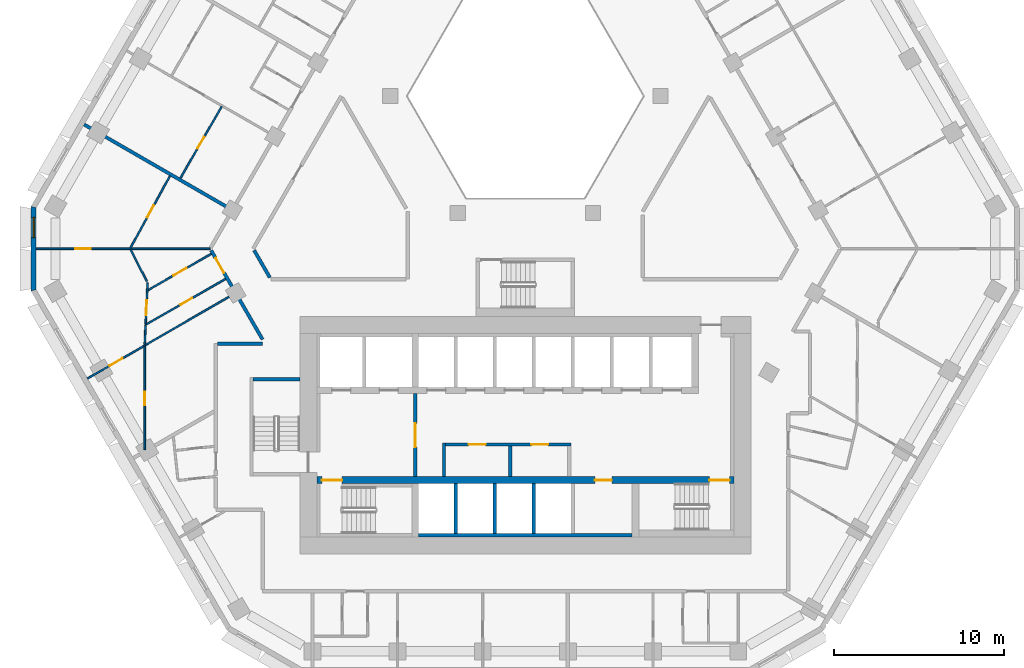
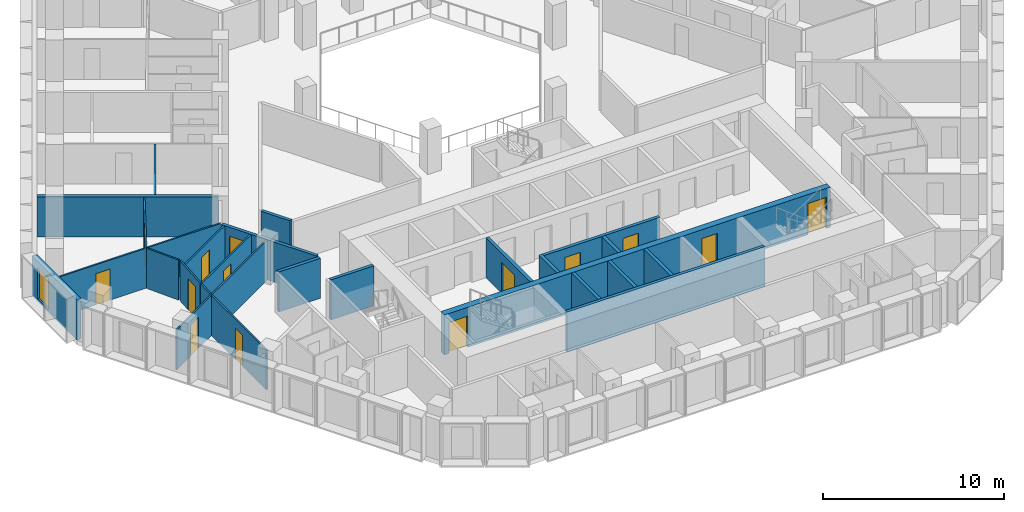
# One storey, part 4 of 15: 25 walls, 15 doors, 1 window, 16 openings.
"""IFC4 building model written with IfcOpenShell, lengths in metres."""

from ifc_helpers import new_model, si_unit, direction, frame, frame_2d, origin, place, context, subcontext, project, spatial, polyline, rectangle, outline, extrude, material, layer, layer_set, type_object, element, fill, save


model = new_model("IFC4")

# Units and contexts
model_context = context("Model", 3, precision=1e-05, world=origin(), true_north=direction((0.0, 1.0)))
body_context = subcontext(model_context, "Body", "Model", "MODEL_VIEW")
ifc_project = project(units=[si_unit("LENGTHUNIT", "METRE"), si_unit("AREAUNIT", "SQUARE_METRE"), si_unit("VOLUMEUNIT", "CUBIC_METRE"), si_unit("PLANEANGLEUNIT", "RADIAN"), si_unit("MASSUNIT", "GRAM", prefix="KILO")], contexts=[model_context])

# Site, building, storey
site_placement = place(None, origin())
site = spatial("IfcSite", under=ifc_project, at=site_placement, CompositionType="ELEMENT")
building_placement = place(site_placement, origin())
building = spatial("IfcBuilding", under=site, at=building_placement, Name="Beryl Residences", CompositionType="ELEMENT")
storey_placement = place(building_placement, frame((0.0, 0.0, 102.0)))
storey = spatial("IfcBuildingStorey", under=building, at=storey_placement, Name="L31", CompositionType="ELEMENT", Elevation=102.0)

# Wall, opening, window
ifc_material_1 = material(Name="Composite metal panel with mineral wool insulation")
ifc_layer_1 = layer(ifc_material_1, 0.300048828125)
ifc_layer_set_1 = layer_set([ifc_layer_1], Name="ES1 pale metal composite panel wall 300 mm")
wall_type_1 = type_object("IfcWallType", Name="ES1 pale metal composite panel wall 300 mm", PredefinedType="SOLIDWALL", material=ifc_layer_set_1)
wall_1_placement = place(storey_placement, frame((-29.007080078125, 1.5, 0.0), z_axis=(0.0, 0.0, 1.0), x_axis=(0.0, -1.0, 0.0)))
wall_1 = element("IfcWall", 1, at=wall_1_placement, inside=storey, type_object=wall_type_1, Name="ES1 external wall L31 NW-SW", PredefinedType="SOLIDWALL", context=body_context, shape_type="SweptSolid", body=[
    extrude(outline(polyline([(0.0, -0.14990234375), (5.0, -0.14990234375), (4.919677734375, 0.14990234375), (0.080322265625, 0.14990234375), (0.0, -0.14990234375)])), origin(), (0.0, 0.0, 1.0), 2.699951171875),
])
opening_1_placement = place(wall_1_placement, frame((0.64990234375, 0.0, 0.14990234375)))
opening_1 = element("IfcOpeningElement", 2, at=opening_1_placement, cuts=wall_1, Name="Opening W2", PredefinedType="OPENING", context=body_context, shape_type="SweptSolid", body=[
    extrude(rectangle(XDim=1.199951171875, YDim=2.10009765625, at=frame_2d((0.60009765625, 1.050048828125))), frame((0.0, 0.159912109375, 0.0), z_axis=(0.0, -1.0, 0.0), x_axis=(1.0, 0.0, 0.0)), (0.0, 0.0, 1.0), 0.320068359375),
])
ifc_material_2 = material(Name="Aluminium and clear glass", Category="aluminium")
window_type = type_object("IfcWindowType", Name="W2 chamfer window 1200 x 2100 mm", PartitioningType="SINGLE_PANEL", PredefinedType="WINDOW", material=ifc_material_2)
window_placement = place(opening_1_placement, origin())
window = element("IfcWindow", 3, at=window_placement, inside=storey, type_object=window_type, Name="W2 window L31 NW-SW 1", OverallHeight=2.10009765625, OverallWidth=1.199951171875, PartitioningType="SINGLE_PANEL", PredefinedType="WINDOW", context=body_context, shape_type="SweptSolid", body=[
    extrude(rectangle(XDim=1.199951171875, YDim=2.10009765625, at=frame_2d((0.60009765625, 1.050048828125))), frame((0.0, 0.030029296875, 0.0), z_axis=(0.0, -1.0, 0.0), x_axis=(1.0, 0.0, 0.0)), (0.0, 0.0, 1.0), 0.06005859375),
])
fill(opening_1, window)

# Wall
ifc_material_3 = material(Name="Gypsum board partition on steel studs", Category="steel")
ifc_layer_2 = layer(ifc_material_3, 0.10009765625)
ifc_layer_set_2 = layer_set([ifc_layer_2], Name="PT1 partition 100 mm gypsum board on steel studs")
wall_type_2 = type_object("IfcWallType", Name="PT1 partition 100 mm gypsum board on steel studs", PredefinedType="PARTITIONING", material=ifc_layer_set_2)
wall_2_placement = place(storey_placement, frame((-23.2890625, -1.053955078125, 0.0), z_axis=(0.0, 0.0, 1.0), x_axis=(0.458226112305, -0.888835659726, 0.0)))
element("IfcWall", 4, at=wall_2_placement, inside=storey, type_object=wall_type_2, Name="Wall PT1 L31 005", PredefinedType="PARTITIONING", context=body_context, shape_type="SweptSolid", body=[
    extrude(rectangle(XDim=2.10400390625, YDim=0.10009765625, at=frame_2d((1.052001953125, 0.0))), origin(), (0.0, 0.0, 1.0), 2.699951171875),
])

# Wall, opening, door
wall_3_placement = place(storey_placement, frame((-28.85693359375, -1.0009765625, 0.0), z_axis=(0.0, 0.0, 1.0), x_axis=(1.0, 0.0, 0.0)))
wall_3 = element("IfcWall", 5, at=wall_3_placement, inside=storey, type_object=wall_type_2, Name="Wall PT1 L31 026", PredefinedType="PARTITIONING", context=body_context, shape_type="SweptSolid", body=[
    extrude(rectangle(XDim=10.265869140625, YDim=0.10009765625, at=frame_2d((5.1328125, 0.0))), origin(), (0.0, 0.0, 1.0), 2.699951171875),
])
opening_2_placement = place(wall_3_placement, frame((2.320068359375, 0.0, 0.0)))
opening_2 = element("IfcOpeningElement", 6, at=opening_2_placement, cuts=wall_3, Name="Opening D0954", PredefinedType="OPENING", context=body_context, shape_type="SweptSolid", body=[
    extrude(rectangle(XDim=0.89990234375, YDim=2.10009765625, at=frame_2d((0.449951171875, 1.050048828125))), frame((0.0, 0.06005859375, 0.0), z_axis=(0.0, -1.0, 0.0), x_axis=(1.0, 0.0, 0.0)), (0.0, 0.0, 1.0), 0.1201171875),
])
ifc_material_4 = material(Name="Timber door leaf", Category="wood")
door_type_1 = type_object("IfcDoorType", Name="D2 room door 900 x 2100 mm", OperationType="SINGLE_SWING_LEFT", PredefinedType="DOOR", material=ifc_material_4)
door_1_placement = place(opening_2_placement, origin())
door_1 = element("IfcDoor", 7, at=door_1_placement, inside=storey, type_object=door_type_1, Name="Door D0954 L31 001", OperationType="SINGLE_SWING_RIGHT", OverallHeight=2.10009765625, OverallWidth=0.89990234375, PredefinedType="DOOR", context=body_context, shape_type="SweptSolid", body=[
    extrude(rectangle(XDim=0.89990234375, YDim=2.10009765625, at=frame_2d((0.449951171875, 1.050048828125))), frame((0.0, 0.02490234375, 0.0), z_axis=(0.0, -1.0, 0.0), x_axis=(1.0, 0.0, 0.0)), (0.0, 0.0, 1.0), 0.050048828125),
])
fill(opening_2, door_1)

wall_4_placement = place(storey_placement, frame((-20.344970703125, 3.162109375, 0.0), z_axis=(0.0, 0.0, 1.0), x_axis=(0.499943653708, 0.866057932887, 0.0)))
wall_4 = element("IfcWall", 8, at=wall_4_placement, inside=storey, type_object=wall_type_2, Name="Wall PT1 L31 037", PredefinedType="PARTITIONING", context=body_context, shape_type="SweptSolid", body=[
    extrude(rectangle(XDim=4.87255859375, YDim=0.10009765625, at=frame_2d((2.436279296875, 0.0))), origin(), (0.0, 0.0, 1.0), 2.699951171875),
])
opening_3_placement = place(wall_4_placement, frame((2.010986328125, 0.0, 0.0)))
opening_3 = element("IfcOpeningElement", 9, at=opening_3_placement, cuts=wall_4, Name="Opening D0949", PredefinedType="OPENING", context=body_context, shape_type="SweptSolid", body=[
    extrude(rectangle(XDim=0.800048828125, YDim=2.10009765625, at=frame_2d((0.39990234375, 1.050048828125))), frame((0.0, 0.06005859375, 0.0), z_axis=(0.0, -1.0, 0.0), x_axis=(1.0, 0.0, 0.0)), (0.0, 0.0, 1.0), 0.1201171875),
])
ifc_material_5 = material(Name="Timber door leaf", Category="wood")
door_type_2 = type_object("IfcDoorType", Name="D3 bathroom door 800 x 2100 mm", OperationType="SINGLE_SWING_LEFT", PredefinedType="DOOR", material=ifc_material_5)
door_2_placement = place(opening_3_placement, origin())
door_2 = element("IfcDoor", 10, at=door_2_placement, inside=storey, type_object=door_type_2, Name="Door D0949 L31 001", OperationType="SINGLE_SWING_LEFT", OverallHeight=2.10009765625, OverallWidth=0.800048828125, PredefinedType="DOOR", context=body_context, shape_type="SweptSolid", body=[
    extrude(rectangle(XDim=0.800048828125, YDim=2.10009765625, at=frame_2d((0.39990234375, 1.050048828125))), frame((0.0, 0.02490234375, 0.0), z_axis=(0.0, -1.0, 0.0), x_axis=(1.0, 0.0, 0.0)), (0.0, 0.0, 1.0), 0.050048828125),
])
fill(opening_3, door_2)

wall_5_placement = place(storey_placement, frame((-23.2890625, -0.950927734375, 0.0), z_axis=(0.0, 0.0, 1.0), x_axis=(0.481164463081, 0.876630343684, 0.0)))
wall_5 = element("IfcWall", 11, at=wall_5_placement, inside=storey, type_object=wall_type_2, Name="Wall PT1 L31 041", PredefinedType="PARTITIONING", context=body_context, shape_type="SweptSolid", body=[
    extrude(rectangle(XDim=4.83447265625, YDim=0.10009765625, at=frame_2d((2.417236328125, 0.0))), origin(), (0.0, 0.0, 1.0), 2.699951171875),
])
opening_4_placement = place(wall_5_placement, frame((2.0390625, 0.0, 0.0)))
opening_4 = element("IfcOpeningElement", 12, at=opening_4_placement, cuts=wall_5, Name="Opening D0957", PredefinedType="OPENING", context=body_context, shape_type="SweptSolid", body=[
    extrude(rectangle(XDim=0.800048828125, YDim=2.10009765625, at=frame_2d((0.39990234375, 1.050048828125))), frame((0.0, 0.06005859375, 0.0), z_axis=(0.0, -1.0, 0.0), x_axis=(1.0, 0.0, 0.0)), (0.0, 0.0, 1.0), 0.1201171875),
])
door_3_placement = place(opening_4_placement, origin())
door_3 = element("IfcDoor", 13, at=door_3_placement, inside=storey, type_object=door_type_2, Name="Door D0957 L31 001", OperationType="SINGLE_SWING_LEFT", OverallHeight=2.10009765625, OverallWidth=0.800048828125, PredefinedType="DOOR", context=body_context, shape_type="SweptSolid", body=[
    extrude(rectangle(XDim=0.800048828125, YDim=2.10009765625, at=frame_2d((0.39990234375, 1.050048828125))), frame((0.0, 0.02490234375, 0.0), z_axis=(0.0, -1.0, 0.0), x_axis=(1.0, 0.0, 0.0)), (0.0, 0.0, 1.0), 0.050048828125),
])
fill(opening_4, door_3)

wall_6_placement = place(storey_placement, frame((-22.39892578125, -5.449951171875, 0.0), z_axis=(0.0, 0.0, 1.0), x_axis=(0.049129140995, 0.998792434646, 0.0)))
wall_6 = element("IfcWall", 14, at=wall_6_placement, inside=storey, type_object=wall_type_2, Name="Wall PT1 L31 044", PredefinedType="PARTITIONING", context=body_context, shape_type="SweptSolid", body=[
    extrude(rectangle(XDim=2.43994140625, YDim=0.10009765625, at=frame_2d((1.219970703125, 0.0))), origin(), (0.0, 0.0, 1.0), 2.699951171875),
])
opening_5_placement = place(wall_6_placement, frame((0.52197265625, 0.0, 0.0)))
opening_5 = element("IfcOpeningElement", 15, at=opening_5_placement, cuts=wall_6, Name="Opening D0953", PredefinedType="OPENING", context=body_context, shape_type="SweptSolid", body=[
    extrude(rectangle(XDim=0.89990234375, YDim=2.10009765625, at=frame_2d((0.449951171875, 1.050048828125))), frame((0.0, 0.06005859375, 0.0), z_axis=(0.0, -1.0, 0.0), x_axis=(1.0, 0.0, 0.0)), (0.0, 0.0, 1.0), 0.1201171875),
])
door_4_placement = place(opening_5_placement, origin())
door_4 = element("IfcDoor", 16, at=door_4_placement, inside=storey, type_object=door_type_1, Name="Door D0953 L31 001", OperationType="SINGLE_SWING_LEFT", OverallHeight=2.10009765625, OverallWidth=0.89990234375, PredefinedType="DOOR", context=body_context, shape_type="SweptSolid", body=[
    extrude(rectangle(XDim=0.89990234375, YDim=2.10009765625, at=frame_2d((0.449951171875, 1.050048828125))), frame((0.0, 0.02490234375, 0.0), z_axis=(0.0, -1.0, 0.0), x_axis=(1.0, 0.0, 0.0)), (0.0, 0.0, 1.0), 0.050048828125),
])
fill(opening_5, door_4)

# Wall
wall_7_placement = place(storey_placement, frame((-22.447998046875, -6.65087890625, 0.0), z_axis=(0.0, 0.0, 1.0), x_axis=(0.040729401597, 0.99917021365, 0.0)))
element("IfcWall", 17, at=wall_7_placement, inside=storey, type_object=wall_type_2, Name="Wall PT1 L31 045", PredefinedType="PARTITIONING", context=body_context, shape_type="SweptSolid", body=[
    extrude(rectangle(XDim=1.126953125, YDim=0.10009765625, at=frame_2d((0.5634765625, 0.0))), origin(), (0.0, 0.0, 1.0), 2.699951171875),
])

# Wall, opening, door
wall_8_placement = place(storey_placement, frame((-22.449951171875, -12.845947265625, 0.0), z_axis=(0.0, 0.0, 1.0), x_axis=(0.0, 1.0, 0.0)))
wall_8 = element("IfcWall", 18, at=wall_8_placement, inside=storey, type_object=wall_type_2, Name="Wall PT1 L31 055", PredefinedType="PARTITIONING", context=body_context, shape_type="SweptSolid", body=[
    extrude(rectangle(XDim=6.077880859375, YDim=0.10009765625, at=frame_2d((3.0390625, 0.0))), origin(), (0.0, 0.0, 1.0), 2.699951171875),
])
opening_6_placement = place(wall_8_placement, frame((2.610107421875, 0.0, 0.0)))
opening_6 = element("IfcOpeningElement", 19, at=opening_6_placement, cuts=wall_8, Name="Opening D0956", PredefinedType="OPENING", context=body_context, shape_type="SweptSolid", body=[
    extrude(rectangle(XDim=0.800048828125, YDim=2.10009765625, at=frame_2d((0.39990234375, 1.050048828125))), frame((0.0, 0.06005859375, 0.0), z_axis=(0.0, -1.0, 0.0), x_axis=(1.0, 0.0, 0.0)), (0.0, 0.0, 1.0), 0.1201171875),
])
door_5_placement = place(opening_6_placement, origin())
door_5 = element("IfcDoor", 20, at=door_5_placement, inside=storey, type_object=door_type_2, Name="Door D0956 L31 001", OperationType="SINGLE_SWING_RIGHT", OverallHeight=2.10009765625, OverallWidth=0.800048828125, PredefinedType="DOOR", context=body_context, shape_type="SweptSolid", body=[
    extrude(rectangle(XDim=0.800048828125, YDim=2.10009765625, at=frame_2d((0.39990234375, 1.050048828125))), frame((0.0, 0.02490234375, 0.0), z_axis=(0.0, -1.0, 0.0), x_axis=(1.0, 0.0, 0.0)), (0.0, 0.0, 1.0), 0.050048828125),
])
fill(opening_6, door_5)

wall_9_placement = place(storey_placement, frame((-25.830078125, -8.662109375, 0.0), z_axis=(0.0, 0.0, 1.0), x_axis=(0.866022959057, 0.500004234368, 0.0)))
wall_9 = element("IfcWall", 21, at=wall_9_placement, inside=storey, type_object=wall_type_2, Name="Wall PT1 L31 062", PredefinedType="PARTITIONING", context=body_context, shape_type="SweptSolid", body=[
    extrude(rectangle(XDim=10.0, YDim=0.10009765625, at=frame_2d((5.0, 0.0))), origin(), (0.0, 0.0, 1.0), 2.699951171875),
])
opening_7_placement = place(wall_9_placement, frame((1.5009765625, 0.0, 0.0)))
opening_7 = element("IfcOpeningElement", 22, at=opening_7_placement, cuts=wall_9, Name="Opening D0955", PredefinedType="OPENING", context=body_context, shape_type="SweptSolid", body=[
    extrude(rectangle(XDim=0.89990234375, YDim=2.10009765625, at=frame_2d((0.449951171875, 1.050048828125))), frame((0.0, 0.06005859375, 0.0), z_axis=(0.0, -1.0, 0.0), x_axis=(1.0, 0.0, 0.0)), (0.0, 0.0, 1.0), 0.1201171875),
])
door_6_placement = place(opening_7_placement, origin())
door_6 = element("IfcDoor", 23, at=door_6_placement, inside=storey, type_object=door_type_1, Name="Door D0955 L31 001", OperationType="SINGLE_SWING_LEFT", OverallHeight=2.10009765625, OverallWidth=0.89990234375, PredefinedType="DOOR", context=body_context, shape_type="SweptSolid", body=[
    extrude(rectangle(XDim=0.89990234375, YDim=2.10009765625, at=frame_2d((0.449951171875, 1.050048828125))), frame((0.0, 0.02490234375, 0.0), z_axis=(0.0, -1.0, 0.0), x_axis=(1.0, 0.0, 0.0)), (0.0, 0.0, 1.0), 0.050048828125),
])
fill(opening_7, door_6)

wall_10_placement = place(storey_placement, frame((-22.40087890625, -5.489990234375, 0.0), z_axis=(0.0, 0.0, 1.0), x_axis=(0.867314404256, 0.497760709749, 0.0)))
wall_10 = element("IfcWall", 24, at=wall_10_placement, inside=storey, type_object=wall_type_2, Name="Wall PT1 L31 063", PredefinedType="PARTITIONING", context=body_context, shape_type="SweptSolid", body=[
    extrude(rectangle(XDim=5.4443359375, YDim=0.10009765625, at=frame_2d((2.72216796875, 0.0))), origin(), (0.0, 0.0, 1.0), 2.699951171875),
])
opening_8_placement = place(wall_10_placement, frame((2.3720703125, 0.0, 0.0)))
opening_8 = element("IfcOpeningElement", 25, at=opening_8_placement, cuts=wall_10, Name="Opening D0951", PredefinedType="OPENING", context=body_context, shape_type="SweptSolid", body=[
    extrude(rectangle(XDim=0.800048828125, YDim=2.10009765625, at=frame_2d((0.39990234375, 1.050048828125))), frame((0.0, 0.06005859375, 0.0), z_axis=(0.0, -1.0, 0.0), x_axis=(1.0, 0.0, 0.0)), (0.0, 0.0, 1.0), 0.1201171875),
])
door_7_placement = place(opening_8_placement, origin())
door_7 = element("IfcDoor", 26, at=door_7_placement, inside=storey, type_object=door_type_2, Name="Door D0951 L31 001", OperationType="SINGLE_SWING_LEFT", OverallHeight=2.10009765625, OverallWidth=0.800048828125, PredefinedType="DOOR", context=body_context, shape_type="SweptSolid", body=[
    extrude(rectangle(XDim=0.800048828125, YDim=2.10009765625, at=frame_2d((0.39990234375, 1.050048828125))), frame((0.0, 0.02490234375, 0.0), z_axis=(0.0, -1.0, 0.0), x_axis=(1.0, 0.0, 0.0)), (0.0, 0.0, 1.0), 0.050048828125),
])
fill(opening_8, door_7)

wall_11_placement = place(storey_placement, frame((-22.25, -3.443115234375, 0.0), z_axis=(0.0, 0.0, 1.0), x_axis=(0.867362741349, 0.497676476156, 0.0)))
wall_11 = element("IfcWall", 27, at=wall_11_placement, inside=storey, type_object=wall_type_2, Name="Wall PT1 L31 065", PredefinedType="PARTITIONING", context=body_context, shape_type="SweptSolid", body=[
    extrude(rectangle(XDim=4.2900390625, YDim=0.10009765625, at=frame_2d((2.14501953125, 0.0))), origin(), (0.0, 0.0, 1.0), 2.699951171875),
])
opening_9_placement = place(wall_11_placement, frame((1.715087890625, 0.0, 0.0)))
opening_9 = element("IfcOpeningElement", 28, at=opening_9_placement, cuts=wall_11, Name="Opening D0952", PredefinedType="OPENING", context=body_context, shape_type="SweptSolid", body=[
    extrude(rectangle(XDim=0.89990234375, YDim=2.10009765625, at=frame_2d((0.449951171875, 1.050048828125))), frame((0.0, 0.06005859375, 0.0), z_axis=(0.0, -1.0, 0.0), x_axis=(1.0, 0.0, 0.0)), (0.0, 0.0, 1.0), 0.1201171875),
])
door_8_placement = place(opening_9_placement, origin())
door_8 = element("IfcDoor", 29, at=door_8_placement, inside=storey, type_object=door_type_1, Name="Door D0952 L31 001", OperationType="SINGLE_SWING_RIGHT", OverallHeight=2.10009765625, OverallWidth=0.89990234375, PredefinedType="DOOR", context=body_context, shape_type="SweptSolid", body=[
    extrude(rectangle(XDim=0.89990234375, YDim=2.10009765625, at=frame_2d((0.449951171875, 1.050048828125))), frame((0.0, 0.02490234375, 0.0), z_axis=(0.0, -1.0, 0.0), x_axis=(1.0, 0.0, 0.0)), (0.0, 0.0, 1.0), 0.050048828125),
])
fill(opening_9, door_8)

ifc_material_6 = material(Name="Concrete masonry", Category="masonry")
ifc_layer_3 = layer(ifc_material_6, 0.199951171875)
ifc_layer_set_3 = layer_set([ifc_layer_3], Name="PT13 lobby wall 200 mm")
wall_type_3 = type_object("IfcWallType", Name="PT13 lobby wall 200 mm", PredefinedType="PARTITIONING", material=ifc_layer_set_3)
wall_12_placement = place(storey_placement, frame((-6.5, -14.449951171875, 0.0), z_axis=(0.0, 0.0, 1.0), x_axis=(0.0, 1.0, 0.0)))
wall_12 = element("IfcWall", 30, at=wall_12_placement, inside=storey, type_object=wall_type_3, Name="Lobby wall 11", PredefinedType="PARTITIONING", context=body_context, shape_type="SweptSolid", body=[
    extrude(rectangle(XDim=4.89990234375, YDim=0.199951171875, at=frame_2d((2.449951171875, 0.0))), origin(), (0.0, 0.0, 1.0), 2.699951171875),
])
opening_10_placement = place(wall_12_placement, frame((3.14990234375, 0.0, 0.0), z_axis=(0.0, 0.0, 1.0), x_axis=(-1.0, 0.0, 0.0)))
opening_10 = element("IfcOpeningElement", 31, at=opening_10_placement, cuts=wall_12, Name="Opening FD-FFL", PredefinedType="OPENING", context=body_context, shape_type="SweptSolid", body=[
    extrude(rectangle(XDim=1.39990234375, YDim=2.10009765625, at=frame_2d((0.699951171875, 1.050048828125))), frame((0.0, 0.10986328125, 0.0), z_axis=(0.0, -1.0, 0.0), x_axis=(1.0, 0.0, 0.0)), (0.0, 0.0, 1.0), 0.219970703125),
])
ifc_material_7 = material(Name="Steel door leaf in steel frame", Category="steel")
door_type_3 = type_object("IfcDoorType", Name="D5 lobby door 1400 x 2100 mm", OperationType="DOUBLE_DOOR_SINGLE_SWING", PredefinedType="DOOR", material=ifc_material_7)
door_9_placement = place(opening_10_placement, origin())
door_9 = element("IfcDoor", 32, at=door_9_placement, inside=storey, type_object=door_type_3, Name="Door FD-FFL L31 001", OperationType="DOUBLE_DOOR_SINGLE_SWING", OverallHeight=2.10009765625, OverallWidth=1.39990234375, PredefinedType="DOOR", context=body_context, shape_type="SweptSolid", body=[
    extrude(rectangle(XDim=1.39990234375, YDim=2.10009765625, at=frame_2d((0.699951171875, 1.050048828125))), frame((0.0, 0.02490234375, 0.0), z_axis=(0.0, -1.0, 0.0), x_axis=(1.0, 0.0, 0.0)), (0.0, 0.0, 1.0), 0.050048828125),
])
fill(opening_10, door_9)

# Wall
wall_13_placement = place(storey_placement, frame((-4.800048828125, -14.449951171875, 0.0), z_axis=(0.0, 0.0, 1.0), x_axis=(0.0, 1.0, 0.0)))
element("IfcWall", 33, at=wall_13_placement, inside=storey, type_object=wall_type_3, Name="Lobby wall 14", PredefinedType="PARTITIONING", context=body_context, shape_type="SweptSolid", body=[
    extrude(rectangle(XDim=2.0, YDim=0.199951171875, at=frame_2d((1.0, 0.0))), origin(), (0.0, 0.0, 1.0), 2.699951171875),
])

# Wall, openings, doors
wall_14_placement = place(storey_placement, frame((-4.699951171875, -12.550048828125, 0.0), z_axis=(0.0, 0.0, 1.0), x_axis=(1.0, 0.0, 0.0)))
wall_14 = element("IfcWall", 34, at=wall_14_placement, inside=storey, type_object=wall_type_3, Name="Lobby wall 15", PredefinedType="PARTITIONING", context=body_context, shape_type="SweptSolid", body=[
    extrude(rectangle(XDim=7.39990234375, YDim=0.199951171875, at=frame_2d((3.699951171875, 0.0))), origin(), (0.0, 0.0, 1.0), 2.699951171875),
])
opening_11_placement = place(wall_14_placement, frame((2.35009765625, 0.0, 0.0), z_axis=(0.0, 0.0, 1.0), x_axis=(-1.0, 0.0, 0.0)))
opening_11 = element("IfcOpeningElement", 35, at=opening_11_placement, cuts=wall_14, Name="Opening CD-D-A1", PredefinedType="OPENING", context=body_context, shape_type="SweptSolid", body=[
    extrude(rectangle(XDim=1.0, YDim=2.10009765625, at=frame_2d((0.5, 1.050048828125))), frame((0.0, 0.10986328125, 0.0), z_axis=(0.0, -1.0, 0.0), x_axis=(1.0, 0.0, 0.0)), (0.0, 0.0, 1.0), 0.219970703125),
])
opening_12_placement = place(wall_14_placement, frame((6.050048828125, 0.0, 0.0), z_axis=(0.0, 0.0, 1.0), x_axis=(-1.0, 0.0, 0.0)))
opening_12 = element("IfcOpeningElement", 36, at=opening_12_placement, cuts=wall_14, Name="Opening CD-D-A2", PredefinedType="OPENING", context=body_context, shape_type="SweptSolid", body=[
    extrude(rectangle(XDim=1.0, YDim=2.10009765625, at=frame_2d((0.5, 1.050048828125))), frame((0.0, 0.10986328125, 0.0), z_axis=(0.0, -1.0, 0.0), x_axis=(1.0, 0.0, 0.0)), (0.0, 0.0, 1.0), 0.219970703125),
])
ifc_material_8 = material(Name="Steel door leaf in steel frame", Category="steel")
door_type_4 = type_object("IfcDoorType", Name="D18 service room door 1000 x 2100 mm", OperationType="SINGLE_SWING_LEFT", PredefinedType="DOOR", material=ifc_material_8)
door_10_placement = place(opening_11_placement, origin())
door_10 = element("IfcDoor", 37, at=door_10_placement, inside=storey, type_object=door_type_4, Name="Door CD-D-A1 L31 001", OperationType="SINGLE_SWING_RIGHT", OverallHeight=2.10009765625, OverallWidth=1.0, PredefinedType="DOOR", context=body_context, shape_type="SweptSolid", body=[
    extrude(rectangle(XDim=1.0, YDim=2.10009765625, at=frame_2d((0.5, 1.050048828125))), frame((0.0, 0.02490234375, 0.0), z_axis=(0.0, -1.0, 0.0), x_axis=(1.0, 0.0, 0.0)), (0.0, 0.0, 1.0), 0.050048828125),
])
fill(opening_11, door_10)
door_11_placement = place(opening_12_placement, origin())
door_11 = element("IfcDoor", 38, at=door_11_placement, inside=storey, type_object=door_type_4, Name="Door CD-D-A2 L31 001", OperationType="SINGLE_SWING_LEFT", OverallHeight=2.10009765625, OverallWidth=1.0, PredefinedType="DOOR", context=body_context, shape_type="SweptSolid", body=[
    extrude(rectangle(XDim=1.0, YDim=2.10009765625, at=frame_2d((0.5, 1.050048828125))), frame((0.0, 0.02490234375, 0.0), z_axis=(0.0, -1.0, 0.0), x_axis=(1.0, 0.0, 0.0)), (0.0, 0.0, 1.0), 0.050048828125),
])
fill(opening_12, door_11)

# Walls
ifc_material_9 = material(Name="Acoustic double stud gypsum board wall")
ifc_layer_4 = layer(ifc_material_9, 0.199951171875)
ifc_layer_set_4 = layer_set([ifc_layer_4], Name="PT3 party wall 200 mm acoustic double stud")
wall_type_4 = type_object("IfcWallType", Name="PT3 party wall 200 mm acoustic double stud", PredefinedType="PARTITIONING", material=ifc_layer_set_4)
wall_15_placement = place(storey_placement, frame((-26.02490234375, 6.324951171875, 0.0), z_axis=(0.0, 0.0, 1.0), x_axis=(0.866041268327, -0.499972520799, 0.0)))
element("IfcWall", 39, at=wall_15_placement, inside=storey, type_object=wall_type_4, Name="Wall PT3 L31 002", PredefinedType="PARTITIONING", context=body_context, shape_type="SweptSolid", body=[
    extrude(rectangle(XDim=10.00048828125, YDim=0.199951171875, at=frame_2d((5.000244140625, 0.0))), origin(), (0.0, 0.0, 1.0), 2.699951171875),
])
ifc_material_10 = material(Name="Double stud gypsum board wall")
ifc_layer_5 = layer(ifc_material_10, 0.199951171875)
ifc_layer_set_5 = layer_set([ifc_layer_5], Name="PT4 corridor wall 200 mm double stud")
wall_type_5 = type_object("IfcWallType", Name="PT4 corridor wall 200 mm double stud", PredefinedType="PARTITIONING", material=ifc_layer_set_5)
wall_16_placement = place(storey_placement, frame((-15.992919921875, -1.10107421875, 0.0), z_axis=(0.0, 0.0, 1.0), x_axis=(0.499894174133, -0.866086493757, 0.0)))
element("IfcWall", 40, at=wall_16_placement, inside=storey, type_object=wall_type_5, Name="Wall PT4 L31 002", PredefinedType="PARTITIONING", context=body_context, shape_type="SweptSolid", body=[
    extrude(rectangle(XDim=1.84619140625, YDim=0.199951171875, at=frame_2d((0.923095703125, 0.0))), origin(), (0.0, 0.0, 1.0), 2.699951171875),
])

# Wall, opening, door
wall_17_placement = place(storey_placement, frame((-18.532958984375, -1.10107421875, 0.0), z_axis=(0.0, 0.0, 1.0), x_axis=(0.500022085096, -0.866012652573, 0.0)))
wall_17 = element("IfcWall", 41, at=wall_17_placement, inside=storey, type_object=wall_type_5, Name="Wall PT4 L31 003", PredefinedType="PARTITIONING", context=body_context, shape_type="SweptSolid", body=[
    extrude(rectangle(XDim=6.065673828125, YDim=0.199951171875, at=frame_2d((3.03271484375, 0.0))), origin(), (0.0, 0.0, 1.0), 2.699951171875),
])
opening_13_placement = place(wall_17_placement, frame((0.531982421875, 0.0, 0.0)))
opening_13 = element("IfcOpeningElement", 42, at=opening_13_placement, cuts=wall_17, Name="Opening D0950", PredefinedType="OPENING", context=body_context, shape_type="SweptSolid", body=[
    extrude(rectangle(XDim=1.0, YDim=2.10009765625, at=frame_2d((0.5, 1.050048828125))), frame((0.0, 0.10986328125, 0.0), z_axis=(0.0, -1.0, 0.0), x_axis=(1.0, 0.0, 0.0)), (0.0, 0.0, 1.0), 0.219970703125),
])
ifc_material_11 = material(Name="Timber door leaf", Category="wood")
door_type_5 = type_object("IfcDoorType", Name="D1 flat entrance door 1000 x 2100 mm", OperationType="SINGLE_SWING_LEFT", PredefinedType="DOOR", material=ifc_material_11)
door_12_placement = place(opening_13_placement, origin())
door_12 = element("IfcDoor", 43, at=door_12_placement, inside=storey, type_object=door_type_5, Name="Door D0950 L31 001", OperationType="SINGLE_SWING_RIGHT", OverallHeight=2.10009765625, OverallWidth=1.0, PredefinedType="DOOR", context=body_context, shape_type="SweptSolid", body=[
    extrude(rectangle(XDim=1.0, YDim=2.10009765625, at=frame_2d((0.5, 1.050048828125))), frame((0.0, 0.02490234375, 0.0), z_axis=(0.0, -1.0, 0.0), x_axis=(1.0, 0.0, 0.0)), (0.0, 0.0, 1.0), 0.050048828125),
])
fill(opening_13, door_12)

# Walls
wall_18_placement = place(storey_placement, frame((-18.14990234375, -6.60009765625, 0.0), z_axis=(0.0, 0.0, 1.0), x_axis=(1.0, 0.0, 0.0)))
element("IfcWall", 44, at=wall_18_placement, inside=storey, type_object=wall_type_5, Name="Wall PT4 L31 013", PredefinedType="PARTITIONING", context=body_context, shape_type="SweptSolid", body=[
    extrude(rectangle(XDim=2.64892578125, YDim=0.199951171875, at=frame_2d((1.324462890625, 0.0))), origin(), (0.0, 0.0, 1.0), 2.699951171875),
])
ifc_material_12 = material(Name="Concrete C40/50", Category="concrete")
ifc_layer_6 = layer(ifc_material_12, 0.199951171875)
ifc_layer_set_6 = layer_set([ifc_layer_6], Name="PT5 stair enclosure wall 200 mm reinforced concrete C40/50")
wall_type_6 = type_object("IfcWallType", Name="PT5 stair enclosure wall 200 mm reinforced concrete C40/50", PredefinedType="SOLIDWALL", material=ifc_layer_set_6)
wall_19_placement = place(storey_placement, frame((-16.050048828125, -8.699951171875, 0.0), z_axis=(0.0, 0.0, 1.0), x_axis=(1.0, 0.0, 0.0)))
element("IfcWall", 45, at=wall_19_placement, inside=storey, type_object=wall_type_6, Name="Stair wall 03", PredefinedType="SOLIDWALL", context=body_context, shape_type="SweptSolid", body=[
    extrude(rectangle(XDim=2.75, YDim=0.199951171875, at=frame_2d((1.375, 0.0))), origin(), (0.0, 0.0, 1.0), 2.699951171875),
])
ifc_material_13 = material(Name="Concrete C40/50", Category="concrete")
ifc_layer_7 = layer(ifc_material_13, 0.199951171875)
ifc_layer_set_7 = layer_set([ifc_layer_7], Name="PT6 lift shaft wall 200 mm reinforced concrete C40/50")
wall_type_7 = type_object("IfcWallType", Name="PT6 lift shaft wall 200 mm reinforced concrete C40/50", PredefinedType="SOLIDWALL", material=ifc_layer_set_7)
wall_20_placement = place(storey_placement, frame((-6.300048828125, -17.89990234375, 0.0), z_axis=(0.0, 0.0, 1.0), x_axis=(1.0, 0.0, 0.0)))
element("IfcWall", 46, at=wall_20_placement, inside=storey, type_object=wall_type_7, Name="Lift shaft wall 12", PredefinedType="SOLIDWALL", context=body_context, shape_type="SweptSolid", body=[
    extrude(rectangle(XDim=12.60009765625, YDim=0.199951171875, at=frame_2d((6.300048828125, 0.0))), origin(), (0.0, 0.0, 1.0), 2.699951171875),
])
for number, where, z_axis, x_axis, name in (
    (47, (-4.10009765625, -17.800048828125, 0.0), (0.0, 0.0, 1.0), (0.0, 1.0, 0.0), "Lift shaft wall 16"),
    (48, (-1.800048828125, -17.800048828125, 0.0), (0.0, 0.0, 1.0), (0.0, 1.0, 0.0), "Lift shaft wall 18"),
    (49, (0.5, -17.800048828125, 0.0), (0.0, 0.0, 1.0), (0.0, 1.0, 0.0), "Lift shaft wall 21"),
):
    element("IfcWall", number, at=place(storey_placement, frame(where, z_axis=z_axis, x_axis=x_axis)), inside=storey, type_object=wall_type_7, Name=name, PredefinedType="SOLIDWALL", context=body_context, shape_type="SweptSolid", body=[
        extrude(rectangle(XDim=2.949951171875, YDim=0.199951171875, at=frame_2d((1.47509765625, 0.0))), origin(), (0.0, 0.0, 1.0), 2.699951171875),
    ])
ifc_material_14 = material(Name="Concrete masonry", Category="masonry")
ifc_layer_8 = layer(ifc_material_14, 0.199951171875)
ifc_layer_set_8 = layer_set([ifc_layer_8], Name="PT8-200 service room wall 200 mm")
wall_type_8 = type_object("IfcWallType", Name="PT8-200 service room wall 200 mm", PredefinedType="PARTITIONING", material=ifc_layer_set_8)
wall_21_placement = place(storey_placement, frame((-0.89990234375, -14.449951171875, 0.0), z_axis=(0.0, 0.0, 1.0), x_axis=(0.0, 1.0, 0.0)))
element("IfcWall", 50, at=wall_21_placement, inside=storey, type_object=wall_type_8, Name="Core room wall 20", PredefinedType="PARTITIONING", context=body_context, shape_type="SweptSolid", body=[
    extrude(rectangle(XDim=1.800048828125, YDim=0.199951171875, at=frame_2d((0.89990234375, 0.0))), origin(), (0.0, 0.0, 1.0), 2.699951171875),
])

# Wall, openings, doors
ifc_material_15 = material(Name="Concrete C70/85", Category="concrete")
ifc_layer_9 = layer(ifc_material_15, 0.39990234375)
ifc_layer_set_9 = layer_set([ifc_layer_9], Name="SW7 core internal wall 400 mm C70/85")
wall_type_9 = type_object("IfcWallType", Name="SW7 core internal wall 400 mm C70/85", PredefinedType="SHEAR", material=ifc_layer_set_9)
wall_22_placement = place(storey_placement, frame((-12.300048828125, -14.64990234375, 0.0), z_axis=(0.0, 0.0, 1.0), x_axis=(1.0, 0.0, 0.0)))
wall_22 = element("IfcWall", 51, at=wall_22_placement, inside=storey, type_object=wall_type_9, Name="Core wall SP1 L31", PredefinedType="SHEAR", context=body_context, shape_type="SweptSolid", body=[
    extrude(rectangle(XDim=24.60009765625, YDim=0.39990234375, at=frame_2d((12.300048828125, 0.0))), origin(), (0.0, 0.0, 1.0), 2.699951171875),
])
opening_14_placement = place(wall_22_placement, frame((1.5, 0.0, 0.0), z_axis=(0.0, 0.0, 1.0), x_axis=(-1.0, 0.0, 0.0)))
opening_14 = element("IfcOpeningElement", 52, at=opening_14_placement, cuts=wall_22, Name="Opening SD-1", PredefinedType="OPENING", context=body_context, shape_type="SweptSolid", body=[
    extrude(rectangle(XDim=1.199951171875, YDim=2.10009765625, at=frame_2d((0.60009765625, 1.050048828125))), frame((0.0, 0.2099609375, 0.0), z_axis=(0.0, -1.0, 0.0), x_axis=(1.0, 0.0, 0.0)), (0.0, 0.0, 1.0), 0.419921875),
])
opening_15_placement = place(wall_22_placement, frame((24.349853515625, 0.0, 0.0), z_axis=(0.0, 0.0, 1.0), x_axis=(-1.0, 0.0, 0.0)))
opening_15 = element("IfcOpeningElement", 53, at=opening_15_placement, cuts=wall_22, Name="Opening SD-3", PredefinedType="OPENING", context=body_context, shape_type="SweptSolid", body=[
    extrude(rectangle(XDim=1.199951171875, YDim=2.10009765625, at=frame_2d((0.60009765625, 1.050048828125))), frame((0.0, 0.2099609375, 0.0), z_axis=(0.0, -1.0, 0.0), x_axis=(1.0, 0.0, 0.0)), (0.0, 0.0, 1.0), 0.419921875),
])
opening_16_placement = place(wall_22_placement, frame((17.39990234375, 0.0, 0.0), z_axis=(0.0, 0.0, 1.0), x_axis=(-1.0, 0.0, 0.0)))
opening_16 = element("IfcOpeningElement", 54, at=opening_16_placement, cuts=wall_22, Name="Opening CD-D-S1", PredefinedType="OPENING", context=body_context, shape_type="SweptSolid", body=[
    extrude(rectangle(XDim=1.0, YDim=2.10009765625, at=frame_2d((0.5, 1.050048828125))), frame((0.0, 0.2099609375, 0.0), z_axis=(0.0, -1.0, 0.0), x_axis=(1.0, 0.0, 0.0)), (0.0, 0.0, 1.0), 0.419921875),
])
door_13_placement = place(opening_16_placement, origin())
door_13 = element("IfcDoor", 55, at=door_13_placement, inside=storey, type_object=door_type_4, Name="Door CD-D-S1 L31 001", OperationType="SINGLE_SWING_RIGHT", OverallHeight=2.10009765625, OverallWidth=1.0, PredefinedType="DOOR", context=body_context, shape_type="SweptSolid", body=[
    extrude(rectangle(XDim=1.0, YDim=2.10009765625, at=frame_2d((0.5, 1.050048828125))), frame((0.0, 0.02490234375, 0.0), z_axis=(0.0, -1.0, 0.0), x_axis=(1.0, 0.0, 0.0)), (0.0, 0.0, 1.0), 0.050048828125),
])
fill(opening_16, door_13)
ifc_material_16 = material(Name="Steel door leaf in steel frame", Category="steel")
door_type_6 = type_object("IfcDoorType", Name="D4 stair door 1200 x 2100 mm", OperationType="SINGLE_SWING_LEFT", PredefinedType="DOOR", material=ifc_material_16)
door_14_placement = place(opening_14_placement, origin())
door_14 = element("IfcDoor", 56, at=door_14_placement, inside=storey, type_object=door_type_6, Name="Door SD-1 L31 001", OperationType="SINGLE_SWING_RIGHT", OverallHeight=2.10009765625, OverallWidth=1.199951171875, PredefinedType="DOOR", context=body_context, shape_type="SweptSolid", body=[
    extrude(rectangle(XDim=1.199951171875, YDim=2.10009765625, at=frame_2d((0.60009765625, 1.050048828125))), frame((0.0, 0.02490234375, 0.0), z_axis=(0.0, -1.0, 0.0), x_axis=(1.0, 0.0, 0.0)), (0.0, 0.0, 1.0), 0.050048828125),
])
fill(opening_14, door_14)
door_15_placement = place(opening_15_placement, origin())
door_15 = element("IfcDoor", 57, at=door_15_placement, inside=storey, type_object=door_type_6, Name="Door SD-3 L31 001", OperationType="SINGLE_SWING_RIGHT", OverallHeight=2.10009765625, OverallWidth=1.199951171875, PredefinedType="DOOR", context=body_context, shape_type="SweptSolid", body=[
    extrude(rectangle(XDim=1.199951171875, YDim=2.10009765625, at=frame_2d((0.60009765625, 1.050048828125))), frame((0.0, 0.02490234375, 0.0), z_axis=(0.0, -1.0, 0.0), x_axis=(1.0, 0.0, 0.0)), (0.0, 0.0, 1.0), 0.050048828125),
])
fill(opening_15, door_15)

save(model, "model.ifc")
